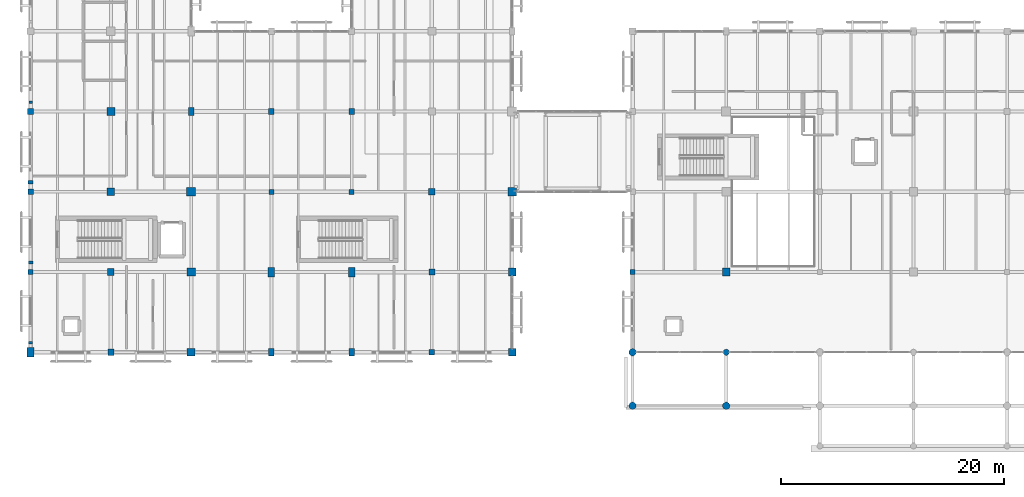
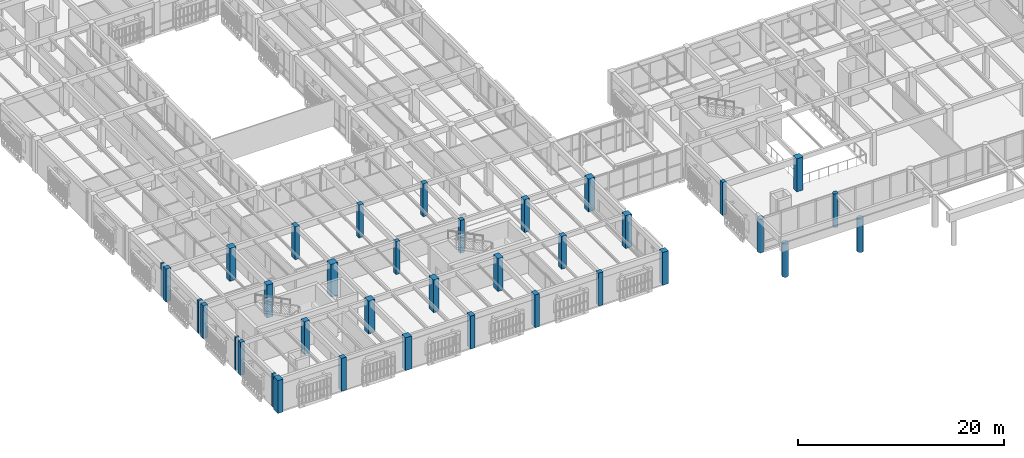
# One storey, part 1 of 170: 36 columns.
"""IFC4 building model written with IfcOpenShell, lengths in metres."""

from ifc_helpers import new_model, si_unit, direction, frame, origin, origin_2d, place, context, subcontext, project, spatial, rectangle, circle, extrude, material, material_profile, profile_set, type_object, element, save


model = new_model("IFC4")

# Units and contexts
model_context = context("Model", 3, precision=1e-05, world=origin(), true_north=direction((0.0, 1.0)))
body_context = subcontext(model_context, "Body", "Model", "MODEL_VIEW")
ifc_project = project(units=[si_unit("LENGTHUNIT", "METRE"), si_unit("AREAUNIT", "SQUARE_METRE"), si_unit("VOLUMEUNIT", "CUBIC_METRE"), si_unit("PLANEANGLEUNIT", "RADIAN"), si_unit("MASSUNIT", "GRAM", prefix="KILO")], contexts=[model_context])

# Site, building, storey
site_placement = place(None, origin())
site = spatial("IfcSite", under=ifc_project, at=site_placement, CompositionType="ELEMENT")
building_placement = place(site_placement, origin())
building = spatial("IfcBuilding", under=site, at=building_placement, Name="Mazaris Harbour Polytechnic", CompositionType="ELEMENT")
storey_placement = place(building_placement, frame((0.0, 0.0, 5.39990234375)))
storey = spatial("IfcBuildingStorey", under=building, at=storey_placement, Name="L01", CompositionType="ELEMENT", Elevation=5.39990234375)

# Columns
ifc_material_1 = material(Name="Concrete C35/45", Category="concrete")
ifc_material_profile_1 = material_profile(ifc_material_1, rectangle(XDim=0.320068359375, YDim=0.219970703125, at=origin_2d()), Name="RECT320x220")
ifc_profile_set_1 = profile_set([ifc_material_profile_1], Name="Concrete C35/45")
column_type_1 = type_object("IfcColumnType", Name="Limestone Pilaster 320x220", PredefinedType="PILASTER", material=ifc_profile_set_1)
column_1_placement = place(storey_placement, frame((0.0, 29.64990234375, 0.0), z_axis=(0.0, 0.0, 1.0), x_axis=(1.0, 0.0, 0.0)))
element("IfcColumn", 1, at=column_1_placement, inside=storey, type_object=column_type_1, Name="V4 L01 Giant Order Pilaster 28", PredefinedType="PILASTER", context=body_context, shape_type="SweptSolid", body=[
    extrude(rectangle(XDim=0.320068359375, YDim=0.219970703125, at=origin_2d()), origin(), (0.0, 0.0, 1.0), 3.89013671875),
])
ifc_material_2 = material(Name="Concrete C35/45", Category="concrete")
ifc_material_profile_2 = material_profile(ifc_material_2, rectangle(XDim=0.360107421875, YDim=0.239990234375, at=origin_2d()), Name="RECT360x240")
ifc_profile_set_2 = profile_set([ifc_material_profile_2], Name="Concrete C35/45")
column_type_2 = type_object("IfcColumnType", Name="Limestone Pilaster 360x240", PredefinedType="PILASTER", material=ifc_profile_set_2)
column_2_placement = place(storey_placement, frame((0.0, 8.050048828125, 0.0), z_axis=(0.0, 0.0, 1.0), x_axis=(1.0, 0.0, 0.0)))
element("IfcColumn", 2, at=column_2_placement, inside=storey, type_object=column_type_2, Name="V4 L01 Giant Order Pilaster 25", PredefinedType="PILASTER", context=body_context, shape_type="SweptSolid", body=[
    extrude(rectangle(XDim=0.360107421875, YDim=0.239990234375, at=origin_2d()), origin(), (0.0, 0.0, 1.0), 3.89013671875),
])
ifc_material_3 = material(Name="Concrete C35/45", Category="concrete")
ifc_material_profile_3 = material_profile(ifc_material_3, rectangle(XDim=0.39990234375, YDim=0.260009765625, at=origin_2d()), Name="RECT400x260")
ifc_profile_set_3 = profile_set([ifc_material_profile_3], Name="Concrete C35/45")
column_type_3 = type_object("IfcColumnType", Name="Limestone Pilaster 400x260", PredefinedType="PILASTER", material=ifc_profile_set_3)
column_3_placement = place(storey_placement, frame((0.0, 15.25, 0.0), z_axis=(0.0, 0.0, 1.0), x_axis=(1.0, 0.0, 0.0)))
element("IfcColumn", 3, at=column_3_placement, inside=storey, type_object=column_type_3, Name="V4 L01 Giant Order Pilaster 26", PredefinedType="PILASTER", context=body_context, shape_type="SweptSolid", body=[
    extrude(rectangle(XDim=0.39990234375, YDim=0.260009765625, at=origin_2d()), origin(), (0.0, 0.0, 1.0), 3.89013671875),
])
ifc_material_4 = material(Name="Concrete C35/45", Category="concrete")
ifc_material_profile_4 = material_profile(ifc_material_4, rectangle(XDim=0.43994140625, YDim=0.280029296875, at=origin_2d()), Name="RECT440x280")
ifc_profile_set_4 = profile_set([ifc_material_profile_4], Name="Concrete C35/45")
column_type_4 = type_object("IfcColumnType", Name="Limestone Pilaster 440x280", PredefinedType="PILASTER", material=ifc_profile_set_4)
column_4_placement = place(storey_placement, frame((0.0, 22.449951171875, 0.0), z_axis=(0.0, 0.0, 1.0), x_axis=(1.0, 0.0, 0.0)))
element("IfcColumn", 4, at=column_4_placement, inside=storey, type_object=column_type_4, Name="V4 L01 Giant Order Pilaster 27", PredefinedType="PILASTER", context=body_context, shape_type="SweptSolid", body=[
    extrude(rectangle(XDim=0.43994140625, YDim=0.280029296875, at=origin_2d()), origin(), (0.0, 0.0, 1.0), 3.89013671875),
])
ifc_material_5 = material(Name="Concrete C40/50", Category="concrete")
ifc_material_profile_5 = material_profile(ifc_material_5, circle(Radius=0.27490234375, at=origin_2d()), Name="DIA550")
ifc_profile_set_5 = profile_set([ifc_material_profile_5], Name="Concrete C40/50")
column_type_5 = type_object("IfcColumnType", Name="RC Colonnade Column D550", PredefinedType="COLUMN", material=ifc_profile_set_5)
column_5_placement = place(storey_placement, frame((62.39990234375, 7.199951171875, 0.0), z_axis=(0.0, 0.0, 1.0), x_axis=(1.0, 0.0, 0.0)))
element("IfcColumn", 5, at=column_5_placement, inside=storey, type_object=column_type_5, Name="V3 L01 Column 473", PredefinedType="COLUMN", context=body_context, shape_type="SweptSolid", body=[
    extrude(circle(Radius=0.27490234375, at=origin_2d()), origin(), (0.0, 0.0, 1.0), 3.960205078125),
])
ifc_material_6 = material(Name="Concrete C40/50", Category="concrete")
ifc_material_profile_6 = material_profile(ifc_material_6, circle(Radius=0.324951171875, at=origin_2d()), Name="DIA650")
ifc_profile_set_6 = profile_set([ifc_material_profile_6], Name="Concrete C40/50")
column_type_6 = type_object("IfcColumnType", Name="RC Colonnade Column D650", PredefinedType="COLUMN", material=ifc_profile_set_6)
column_6_placement = place(storey_placement, frame((54.0, 7.199951171875, 0.0), z_axis=(0.0, 0.0, 1.0), x_axis=(1.0, 0.0, 0.0)))
element("IfcColumn", 6, at=column_6_placement, inside=storey, type_object=column_type_6, Name="V3 L01 Column 468", PredefinedType="COLUMN", context=body_context, shape_type="SweptSolid", body=[
    extrude(circle(Radius=0.324951171875, at=origin_2d()), origin(), (0.0, 0.0, 1.0), 3.960205078125),
])
for number, where, z_axis, x_axis, name in (
    (7, (54.0, 2.39990234375, 0.0), (0.0, 0.0, 1.0), (1.0, 0.0, 0.0), "Harbour Colonnade Column L01-1"),
    (8, (62.39990234375, 2.39990234375, 0.0), (0.0, 0.0, 1.0), (1.0, 0.0, 0.0), "Harbour Colonnade Column L01-2"),
):
    element("IfcColumn", number, at=place(storey_placement, frame(where, z_axis=z_axis, x_axis=x_axis)), inside=storey, type_object=column_type_6, Name=name, PredefinedType="COLUMN", context=body_context, shape_type="SweptSolid", body=[
        extrude(circle(Radius=0.324951171875, at=origin_2d()), origin(), (0.0, 0.0, 1.0), 3.945068359375),
    ])
ifc_material_7 = material(Name="Concrete C40/50", Category="concrete")
ifc_material_profile_7 = material_profile(ifc_material_7, rectangle(XDim=0.449951171875, YDim=0.449951171875, at=origin_2d()), Name="RECT450x450")
ifc_profile_set_7 = profile_set([ifc_material_profile_7], Name="Concrete C40/50")
column_type_7 = type_object("IfcColumnType", Name="RC Column 450x450", PredefinedType="COLUMN", material=ifc_profile_set_7)
for number, where, z_axis, x_axis, name in (
    (9, (21.60009765625, 21.60009765625, 0.0), (0.0, 0.0, 1.0), (1.0, 0.0, 0.0), "V4 L01 Column 769"),
    (10, (28.800048828125, 21.60009765625, 0.0), (0.0, 0.0, 1.0), (1.0, 0.0, 0.0), "V4 L01 Column 779"),
):
    element("IfcColumn", number, at=place(storey_placement, frame(where, z_axis=z_axis, x_axis=x_axis)), inside=storey, type_object=column_type_7, Name=name, PredefinedType="COLUMN", context=body_context, shape_type="SweptSolid", body=[
        extrude(rectangle(XDim=0.449951171875, YDim=0.449951171875, at=origin_2d()), origin(), (0.0, 0.0, 1.0), 3.89013671875),
    ])
ifc_material_8 = material(Name="Concrete C40/50", Category="concrete")
ifc_material_profile_8 = material_profile(ifc_material_8, rectangle(XDim=0.449951171875, YDim=0.449951171875, at=origin_2d()), Name="RECT450x450")
ifc_profile_set_8 = profile_set([ifc_material_profile_8], Name="Concrete C40/50")
column_type_8 = type_object("IfcColumnType", Name="RC Column 450x450 Exterior", PredefinedType="COLUMN", material=ifc_profile_set_8)
column_7_placement = place(storey_placement, frame((54.0, 14.39990234375, 0.0), z_axis=(0.0, 0.0, 1.0), x_axis=(1.0, 0.0, 0.0)))
element("IfcColumn", 11, at=column_7_placement, inside=storey, type_object=column_type_8, Name="V3 L01 Column 469", PredefinedType="COLUMN", context=body_context, shape_type="SweptSolid", body=[
    extrude(rectangle(XDim=0.449951171875, YDim=0.449951171875, at=origin_2d()), origin(), (0.0, 0.0, 1.0), 3.920166015625),
])
column_8_placement = place(storey_placement, frame((0.0, 14.39990234375, 0.0), z_axis=(0.0, 0.0, 1.0), x_axis=(1.0, 0.0, 0.0)))
element("IfcColumn", 12, at=column_8_placement, inside=storey, type_object=column_type_8, Name="V4 L01 Column 729", PredefinedType="COLUMN", context=body_context, shape_type="SweptSolid", body=[
    extrude(rectangle(XDim=0.449951171875, YDim=0.449951171875, at=origin_2d()), origin(), (0.0, 0.0, 1.0), 3.89013671875),
])
ifc_material_9 = material(Name="Concrete C40/50", Category="concrete")
ifc_material_profile_9 = material_profile(ifc_material_9, rectangle(XDim=0.5, YDim=0.5, at=origin_2d()), Name="RECT500x500")
ifc_profile_set_9 = profile_set([ifc_material_profile_9], Name="Concrete C40/50")
column_type_9 = type_object("IfcColumnType", Name="RC Column 500x500", PredefinedType="COLUMN", material=ifc_profile_set_9)
for number, where, z_axis, x_axis, name in (
    (13, (21.60009765625, 28.800048828125, 0.0), (0.0, 0.0, 1.0), (1.0, 0.0, 0.0), "V4 L01 Column 770"),
    (14, (28.800048828125, 28.800048828125, 0.0), (0.0, 0.0, 1.0), (1.0, 0.0, 0.0), "V4 L01 Column 780"),
):
    element("IfcColumn", number, at=place(storey_placement, frame(where, z_axis=z_axis, x_axis=x_axis)), inside=storey, type_object=column_type_9, Name=name, PredefinedType="COLUMN", context=body_context, shape_type="SweptSolid", body=[
        extrude(rectangle(XDim=0.5, YDim=0.5, at=origin_2d()), origin(), (0.0, 0.0, 1.0), 3.89013671875),
    ])
ifc_material_10 = material(Name="Concrete C40/50", Category="concrete")
ifc_material_profile_10 = material_profile(ifc_material_10, rectangle(XDim=0.5, YDim=0.5, at=origin_2d()), Name="RECT500x500")
ifc_profile_set_10 = profile_set([ifc_material_profile_10], Name="Concrete C40/50")
column_type_10 = type_object("IfcColumnType", Name="RC Column 500x500 Exterior", PredefinedType="COLUMN", material=ifc_profile_set_10)
for number, where, z_axis, x_axis, name in (
    (15, (0.0, 21.60009765625, 0.0), (0.0, 0.0, 1.0), (1.0, 0.0, 0.0), "V4 L01 Column 730"),
    (16, (36.0, 7.199951171875, 0.0), (0.0, 0.0, 1.0), (1.0, 0.0, 0.0), "V4 L01 Column 790"),
):
    element("IfcColumn", number, at=place(storey_placement, frame(where, z_axis=z_axis, x_axis=x_axis)), inside=storey, type_object=column_type_10, Name=name, PredefinedType="COLUMN", context=body_context, shape_type="SweptSolid", body=[
        extrude(rectangle(XDim=0.5, YDim=0.5, at=origin_2d()), origin(), (0.0, 0.0, 1.0), 3.89013671875),
    ])
ifc_material_11 = material(Name="Concrete C40/50", Category="concrete")
ifc_material_profile_11 = material_profile(ifc_material_11, rectangle(XDim=0.5, YDim=0.699951171875, at=origin_2d()), Name="RECT500x700")
ifc_profile_set_11 = profile_set([ifc_material_profile_11], Name="Concrete C40/50")
column_type_11 = type_object("IfcColumnType", Name="RC Column 500x700", PredefinedType="COLUMN", material=ifc_profile_set_11)
column_9_placement = place(storey_placement, frame((14.39990234375, 28.800048828125, 0.0), z_axis=(0.0, 0.0, 1.0), x_axis=(1.0, 0.0, 0.0)))
element("IfcColumn", 17, at=column_9_placement, inside=storey, type_object=column_type_11, Name="V4 L01 Column 757", PredefinedType="COLUMN", context=body_context, shape_type="SweptSolid", body=[
    extrude(rectangle(XDim=0.5, YDim=0.699951171875, at=origin_2d()), origin(), (0.0, 0.0, 1.0), 3.89013671875),
])
ifc_material_12 = material(Name="Concrete C40/50", Category="concrete")
ifc_material_profile_12 = material_profile(ifc_material_12, rectangle(XDim=0.5, YDim=0.699951171875, at=origin_2d()), Name="RECT500x700")
ifc_profile_set_12 = profile_set([ifc_material_profile_12], Name="Concrete C40/50")
column_type_12 = type_object("IfcColumnType", Name="RC Column 500x700 Exterior", PredefinedType="COLUMN", material=ifc_profile_set_12)
for number, where, z_axis, x_axis, name in (
    (18, (21.60009765625, 7.199951171875, 0.0), (0.0, 0.0, 1.0), (1.0, 0.0, 0.0), "V4 L01 Column 767"),
    (19, (28.800048828125, 7.199951171875, 0.0), (0.0, 0.0, 1.0), (1.0, 0.0, 0.0), "V4 L01 Column 777"),
):
    element("IfcColumn", number, at=place(storey_placement, frame(where, z_axis=z_axis, x_axis=x_axis)), inside=storey, type_object=column_type_12, Name=name, PredefinedType="COLUMN", context=body_context, shape_type="SweptSolid", body=[
        extrude(rectangle(XDim=0.5, YDim=0.699951171875, at=origin_2d()), origin(), (0.0, 0.0, 1.0), 3.89013671875),
    ])
ifc_material_13 = material(Name="Concrete C40/50", Category="concrete")
ifc_material_profile_13 = material_profile(ifc_material_13, rectangle(XDim=0.550048828125, YDim=0.550048828125, at=origin_2d()), Name="RECT550x550")
ifc_profile_set_13 = profile_set([ifc_material_profile_13], Name="Concrete C40/50")
column_type_13 = type_object("IfcColumnType", Name="RC Column 550x550", PredefinedType="COLUMN", material=ifc_profile_set_13)
column_10_placement = place(storey_placement, frame((36.0, 14.39990234375, 0.0), z_axis=(0.0, 0.0, 1.0), x_axis=(1.0, 0.0, 0.0)))
element("IfcColumn", 20, at=column_10_placement, inside=storey, type_object=column_type_13, Name="V4 L01 Column 791", PredefinedType="COLUMN", context=body_context, shape_type="SweptSolid", body=[
    extrude(rectangle(XDim=0.550048828125, YDim=0.550048828125, at=origin_2d()), origin(), (0.0, 0.0, 1.0), 3.89013671875),
])
ifc_material_14 = material(Name="Concrete C40/50", Category="concrete")
ifc_material_profile_14 = material_profile(ifc_material_14, rectangle(XDim=0.550048828125, YDim=0.550048828125, at=origin_2d()), Name="RECT550x550")
ifc_profile_set_14 = profile_set([ifc_material_profile_14], Name="Concrete C40/50")
column_type_14 = type_object("IfcColumnType", Name="RC Column 550x550 Exterior", PredefinedType="COLUMN", material=ifc_profile_set_14)
for number, where, z_axis, x_axis, name in (
    (21, (0.0, 28.800048828125, 0.0), (0.0, 0.0, 1.0), (1.0, 0.0, 0.0), "V4 L01 Column 731"),
    (22, (7.199951171875, 7.199951171875, 0.0), (0.0, 0.0, 1.0), (1.0, 0.0, 0.0), "V4 L01 Column 741"),
):
    element("IfcColumn", number, at=place(storey_placement, frame(where, z_axis=z_axis, x_axis=x_axis)), inside=storey, type_object=column_type_14, Name=name, PredefinedType="COLUMN", context=body_context, shape_type="SweptSolid", body=[
        extrude(rectangle(XDim=0.550048828125, YDim=0.550048828125, at=origin_2d()), origin(), (0.0, 0.0, 1.0), 3.89013671875),
    ])
ifc_material_15 = material(Name="Concrete C40/50", Category="concrete")
ifc_material_profile_15 = material_profile(ifc_material_15, rectangle(XDim=0.60009765625, YDim=0.60009765625, at=origin_2d()), Name="RECT600x600")
ifc_profile_set_15 = profile_set([ifc_material_profile_15], Name="Concrete C40/50")
column_type_15 = type_object("IfcColumnType", Name="RC Column 600x600", PredefinedType="COLUMN", material=ifc_profile_set_15)
for number, where, z_axis, x_axis, name in (
    (23, (7.199951171875, 14.39990234375, 0.0), (0.0, 0.0, 1.0), (1.0, 0.0, 0.0), "V4 L01 Column 742"),
    (24, (36.0, 21.60009765625, 0.0), (0.0, 0.0, 1.0), (1.0, 0.0, 0.0), "V4 L01 Column 792"),
):
    element("IfcColumn", number, at=place(storey_placement, frame(where, z_axis=z_axis, x_axis=x_axis)), inside=storey, type_object=column_type_15, Name=name, PredefinedType="COLUMN", context=body_context, shape_type="SweptSolid", body=[
        extrude(rectangle(XDim=0.60009765625, YDim=0.60009765625, at=origin_2d()), origin(), (0.0, 0.0, 1.0), 3.89013671875),
    ])
ifc_material_16 = material(Name="Concrete C40/50", Category="concrete")
ifc_material_profile_16 = material_profile(ifc_material_16, rectangle(XDim=0.60009765625, YDim=0.85009765625, at=origin_2d()), Name="RECT600x850")
ifc_profile_set_16 = profile_set([ifc_material_profile_16], Name="Concrete C40/50")
column_type_16 = type_object("IfcColumnType", Name="RC Column 600x850", PredefinedType="COLUMN", material=ifc_profile_set_16)
for number, where, z_axis, x_axis, name in (
    (25, (21.60009765625, 14.39990234375, 0.0), (0.0, 0.0, 1.0), (1.0, 0.0, 0.0), "V4 L01 Column 768"),
    (26, (28.800048828125, 14.39990234375, 0.0), (0.0, 0.0, 1.0), (1.0, 0.0, 0.0), "V4 L01 Column 778"),
):
    element("IfcColumn", number, at=place(storey_placement, frame(where, z_axis=z_axis, x_axis=x_axis)), inside=storey, type_object=column_type_16, Name=name, PredefinedType="COLUMN", context=body_context, shape_type="SweptSolid", body=[
        extrude(rectangle(XDim=0.60009765625, YDim=0.85009765625, at=origin_2d()), origin(), (0.0, 0.0, 1.0), 3.89013671875),
    ])
ifc_material_17 = material(Name="Concrete C40/50", Category="concrete")
ifc_material_profile_17 = material_profile(ifc_material_17, rectangle(XDim=0.60009765625, YDim=0.85009765625, at=origin_2d()), Name="RECT600x850")
ifc_profile_set_17 = profile_set([ifc_material_profile_17], Name="Concrete C40/50")
column_type_17 = type_object("IfcColumnType", Name="RC Column 600x850 Exterior", PredefinedType="COLUMN", material=ifc_profile_set_17)
column_11_placement = place(storey_placement, frame((0.0, 7.199951171875, 0.0), z_axis=(0.0, 0.0, 1.0), x_axis=(1.0, 0.0, 0.0)))
element("IfcColumn", 27, at=column_11_placement, inside=storey, type_object=column_type_17, Name="V4 L01 Column 728", PredefinedType="COLUMN", context=body_context, shape_type="SweptSolid", body=[
    extrude(rectangle(XDim=0.60009765625, YDim=0.85009765625, at=origin_2d()), origin(), (0.0, 0.0, 1.0), 3.89013671875),
])
ifc_material_18 = material(Name="Concrete C40/50", Category="concrete")
ifc_material_profile_18 = material_profile(ifc_material_18, rectangle(XDim=0.64990234375, YDim=0.64990234375, at=origin_2d()), Name="RECT650x650")
ifc_profile_set_18 = profile_set([ifc_material_profile_18], Name="Concrete C40/50")
column_type_18 = type_object("IfcColumnType", Name="RC Column 650x650", PredefinedType="COLUMN", material=ifc_profile_set_18)
column_12_placement = place(storey_placement, frame((7.199951171875, 21.60009765625, 0.0), z_axis=(0.0, 0.0, 1.0), x_axis=(1.0, 0.0, 0.0)))
element("IfcColumn", 28, at=column_12_placement, inside=storey, type_object=column_type_18, Name="V4 L01 Column 743", PredefinedType="COLUMN", context=body_context, shape_type="SweptSolid", body=[
    extrude(rectangle(XDim=0.64990234375, YDim=0.64990234375, at=origin_2d()), origin(), (0.0, 0.0, 1.0), 3.89013671875),
])
ifc_material_19 = material(Name="Concrete C40/50", Category="concrete")
ifc_material_profile_19 = material_profile(ifc_material_19, rectangle(XDim=0.64990234375, YDim=0.64990234375, at=origin_2d()), Name="RECT650x650")
ifc_profile_set_19 = profile_set([ifc_material_profile_19], Name="Concrete C40/50")
column_type_19 = type_object("IfcColumnType", Name="RC Column 650x650 Exterior", PredefinedType="COLUMN", material=ifc_profile_set_19)
column_13_placement = place(storey_placement, frame((43.199951171875, 7.199951171875, 0.0), z_axis=(0.0, 0.0, 1.0), x_axis=(1.0, 0.0, 0.0)))
element("IfcColumn", 29, at=column_13_placement, inside=storey, type_object=column_type_19, Name="V4 L01 Column 803", PredefinedType="COLUMN", context=body_context, shape_type="SweptSolid", body=[
    extrude(rectangle(XDim=0.64990234375, YDim=0.64990234375, at=origin_2d()), origin(), (0.0, 0.0, 1.0), 3.89013671875),
])
ifc_material_20 = material(Name="Concrete C40/50", Category="concrete")
ifc_material_profile_20 = material_profile(ifc_material_20, rectangle(XDim=0.699951171875, YDim=0.699951171875, at=origin_2d()), Name="RECT700x700")
ifc_profile_set_20 = profile_set([ifc_material_profile_20], Name="Concrete C40/50")
column_type_20 = type_object("IfcColumnType", Name="RC Column 700x700", PredefinedType="COLUMN", material=ifc_profile_set_20)
column_14_placement = place(storey_placement, frame((62.39990234375, 14.39990234375, 0.0), z_axis=(0.0, 0.0, 1.0), x_axis=(1.0, 0.0, 0.0)))
element("IfcColumn", 30, at=column_14_placement, inside=storey, type_object=column_type_20, Name="V3 L01 Column 474", PredefinedType="COLUMN", context=body_context, shape_type="SweptSolid", body=[
    extrude(rectangle(XDim=0.699951171875, YDim=0.699951171875, at=origin_2d()), origin(), (0.0, 0.0, 1.0), 3.920166015625),
])
column_15_placement = place(storey_placement, frame((7.199951171875, 28.800048828125, 0.0), z_axis=(0.0, 0.0, 1.0), x_axis=(1.0, 0.0, 0.0)))
element("IfcColumn", 31, at=column_15_placement, inside=storey, type_object=column_type_20, Name="V4 L01 Column 744", PredefinedType="COLUMN", context=body_context, shape_type="SweptSolid", body=[
    extrude(rectangle(XDim=0.699951171875, YDim=0.699951171875, at=origin_2d()), origin(), (0.0, 0.0, 1.0), 3.89013671875),
])
ifc_material_21 = material(Name="Concrete C40/50", Category="concrete")
ifc_material_profile_21 = material_profile(ifc_material_21, rectangle(XDim=0.699951171875, YDim=0.699951171875, at=origin_2d()), Name="RECT700x700")
ifc_profile_set_21 = profile_set([ifc_material_profile_21], Name="Concrete C40/50")
column_type_21 = type_object("IfcColumnType", Name="RC Column 700x700 Exterior", PredefinedType="COLUMN", material=ifc_profile_set_21)
for number, where, z_axis, x_axis, name in (
    (32, (14.39990234375, 7.199951171875, 0.0), (0.0, 0.0, 1.0), (1.0, 0.0, 0.0), "V4 L01 Column 754"),
    (33, (43.199951171875, 14.39990234375, 0.0), (0.0, 0.0, 1.0), (1.0, 0.0, 0.0), "V4 L01 Column 804"),
):
    element("IfcColumn", number, at=place(storey_placement, frame(where, z_axis=z_axis, x_axis=x_axis)), inside=storey, type_object=column_type_21, Name=name, PredefinedType="COLUMN", context=body_context, shape_type="SweptSolid", body=[
        extrude(rectangle(XDim=0.699951171875, YDim=0.699951171875, at=origin_2d()), origin(), (0.0, 0.0, 1.0), 3.89013671875),
    ])
ifc_material_22 = material(Name="Concrete C40/50", Category="concrete")
ifc_material_profile_22 = material_profile(ifc_material_22, rectangle(XDim=0.75, YDim=0.75, at=origin_2d()), Name="RECT750x750")
ifc_profile_set_22 = profile_set([ifc_material_profile_22], Name="Concrete C40/50")
column_type_22 = type_object("IfcColumnType", Name="RC Column 750x750", PredefinedType="COLUMN", material=ifc_profile_set_22)
column_16_placement = place(storey_placement, frame((14.39990234375, 14.39990234375, 0.0), z_axis=(0.0, 0.0, 1.0), x_axis=(1.0, 0.0, 0.0)))
element("IfcColumn", 34, at=column_16_placement, inside=storey, type_object=column_type_22, Name="V4 L01 Column 755", PredefinedType="COLUMN", context=body_context, shape_type="SweptSolid", body=[
    extrude(rectangle(XDim=0.75, YDim=0.75, at=origin_2d()), origin(), (0.0, 0.0, 1.0), 3.89013671875),
])
ifc_material_23 = material(Name="Concrete C40/50", Category="concrete")
ifc_material_profile_23 = material_profile(ifc_material_23, rectangle(XDim=0.75, YDim=0.75, at=origin_2d()), Name="RECT750x750")
ifc_profile_set_23 = profile_set([ifc_material_profile_23], Name="Concrete C40/50")
column_type_23 = type_object("IfcColumnType", Name="RC Column 750x750 Exterior", PredefinedType="COLUMN", material=ifc_profile_set_23)
column_17_placement = place(storey_placement, frame((43.199951171875, 21.60009765625, 0.0), z_axis=(0.0, 0.0, 1.0), x_axis=(1.0, 0.0, 0.0)))
element("IfcColumn", 35, at=column_17_placement, inside=storey, type_object=column_type_23, Name="V4 L01 Column 805", PredefinedType="COLUMN", context=body_context, shape_type="SweptSolid", body=[
    extrude(rectangle(XDim=0.75, YDim=0.75, at=origin_2d()), origin(), (0.0, 0.0, 1.0), 3.89013671875),
])
ifc_material_24 = material(Name="Concrete C40/50", Category="concrete")
ifc_material_profile_24 = material_profile(ifc_material_24, rectangle(XDim=0.800048828125, YDim=0.800048828125, at=origin_2d()), Name="RECT800x800")
ifc_profile_set_24 = profile_set([ifc_material_profile_24], Name="Concrete C40/50")
column_type_24 = type_object("IfcColumnType", Name="RC Column 800x800", PredefinedType="COLUMN", material=ifc_profile_set_24)
column_18_placement = place(storey_placement, frame((14.39990234375, 21.60009765625, 0.0), z_axis=(0.0, 0.0, 1.0), x_axis=(1.0, 0.0, 0.0)))
element("IfcColumn", 36, at=column_18_placement, inside=storey, type_object=column_type_24, Name="V4 L01 Column 756", PredefinedType="COLUMN", context=body_context, shape_type="SweptSolid", body=[
    extrude(rectangle(XDim=0.800048828125, YDim=0.800048828125, at=origin_2d()), origin(), (0.0, 0.0, 1.0), 3.89013671875),
])

save(model, "model.ifc")
